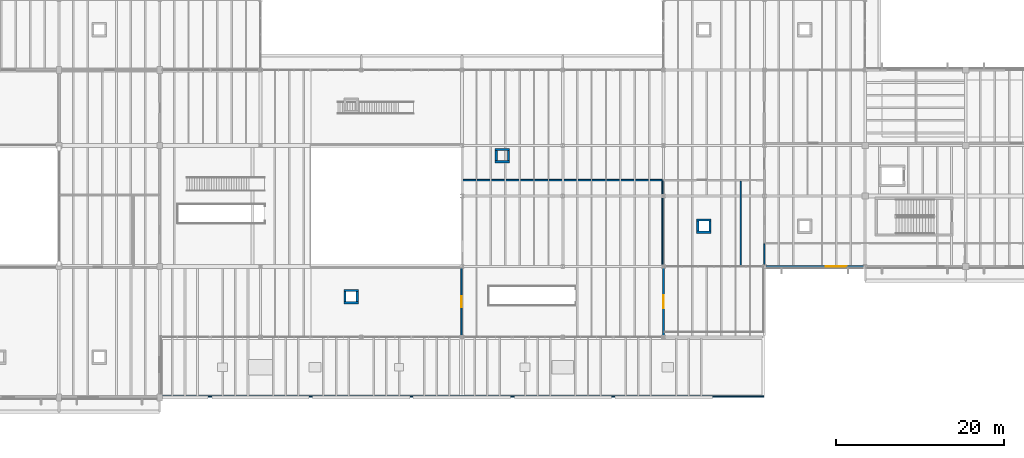
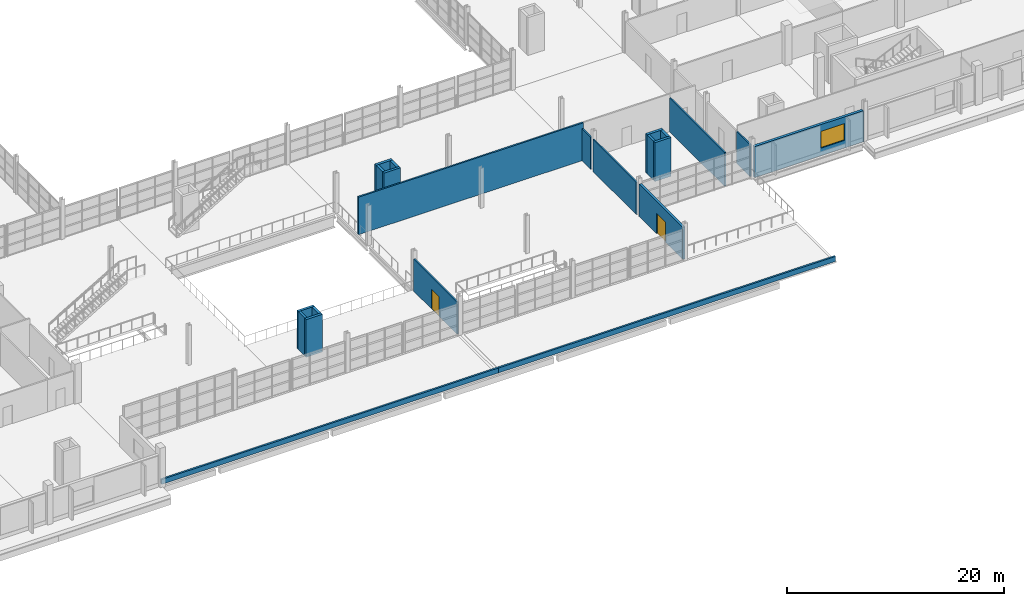
# One storey, part 90 of 114: 22 walls, 2 doors, 1 window, 3 openings.
"""IFC4 building model written with IfcOpenShell, lengths in metres."""

from ifc_helpers import new_model, si_unit, direction, frame, frame_2d, origin, place, context, subcontext, project, spatial, rectangle, extrude, material, layer, layer_set, type_object, element, fill, save


model = new_model("IFC4")

# Units and contexts
model_context = context("Model", 3, precision=1e-05, world=origin(), true_north=direction((0.0, 1.0)))
body_context = subcontext(model_context, "Body", "Model", "MODEL_VIEW")
ifc_project = project(units=[si_unit("LENGTHUNIT", "METRE"), si_unit("AREAUNIT", "SQUARE_METRE"), si_unit("VOLUMEUNIT", "CUBIC_METRE"), si_unit("PLANEANGLEUNIT", "RADIAN"), si_unit("MASSUNIT", "GRAM", prefix="KILO")], contexts=[model_context])

# Site, building, storey
site_placement = place(None, origin())
site = spatial("IfcSite", under=ifc_project, at=site_placement, CompositionType="ELEMENT")
building_placement = place(site_placement, origin())
building = spatial("IfcBuilding", under=site, at=building_placement, Name="Kelmvaro Bay Concert Hall", CompositionType="ELEMENT")
storey_placement = place(building_placement, frame((0.0, 0.0, 4.800048828125)))
storey = spatial("IfcBuildingStorey", under=building, at=storey_placement, Name="L01", CompositionType="ELEMENT", Elevation=4.800048828125)

# Walls
ifc_material_1 = material(Name="Precast Concrete C40/50", Category="concrete")
ifc_layer_1 = layer(ifc_material_1, 0.18994140625)
ifc_layer_set_1 = layer_set([ifc_layer_1], Name="Precast Concrete C40/50")
wall_type_1 = type_object("IfcWallType", Name="Canopy Edge Parapet Upstand 190", PredefinedType="PARAPET", material=ifc_layer_set_1)
for number, where, z_axis, x_axis, name in (
    (1, (48.10009765625, 0.10009765625, 0.06005859375), (0.0, 0.0, 1.0), (1.0, 0.0, 0.0), "L01 Roof Parapet 15"),
    (2, (84.0, 0.10009765625, 0.06005859375), (0.0, 0.0, 1.0), (1.0, 0.0, 0.0), "L01 Roof Parapet 16"),
):
    element("IfcWall", number, at=place(storey_placement, frame(where, z_axis=z_axis, x_axis=x_axis)), inside=storey, type_object=wall_type_1, Name=name, PredefinedType="PARAPET", context=body_context, shape_type="SweptSolid", body=[
        extrude(rectangle(XDim=35.89990234375, YDim=0.18994140625, at=frame_2d((17.949951171875, 0.0))), origin(), (0.0, 0.0, 1.0), 0.559814453125),
    ])

# Wall, opening, door
ifc_material_2 = material(Name="Acoustic Gypsum Board on Galvanised Steel Studs", Category="steel")
ifc_layer_2 = layer(ifc_material_2, 0.169921875)
ifc_layer_set_2 = layer_set([ifc_layer_2], Name="Acoustic Gypsum Board on Galvanised Steel Studs")
wall_type_2 = type_object("IfcWallType", Name="Corridor Fire Compartment Partition 170", PredefinedType="PARTITIONING", material=ifc_layer_set_2)
wall_1_placement = place(storey_placement, frame((83.919921875, 7.40087890625, 0.0), z_axis=(0.0, 0.0, 1.0), x_axis=(0.0, 1.0, 0.0)))
wall_1 = element("IfcWall", 3, at=wall_1_placement, inside=storey, type_object=wall_type_2, Name="L01 Interior Partition PT-L01-0196", PredefinedType="PARTITIONING", context=body_context, shape_type="SweptSolid", body=[
    extrude(rectangle(XDim=7.998046875, YDim=0.169921875, at=frame_2d((3.9990234375, 0.0))), origin(), (0.0, 0.0, 1.0), 3.617919921875),
])
opening_1_placement = place(wall_1_placement, frame((3.319091796875, 0.0, 0.0)))
opening_1 = element("IfcOpeningElement", 4, at=opening_1_placement, cuts=wall_1, Name="Opening ID-DN1", PredefinedType="OPENING", context=body_context, shape_type="SweptSolid", body=[
    extrude(rectangle(XDim=1.360107421875, YDim=2.199951171875, at=frame_2d((0.68017578125, 1.10009765625))), frame((0.0, 0.094970703125, 0.0), z_axis=(0.0, -1.0, 0.0), x_axis=(1.0, 0.0, 0.0)), (0.0, 0.0, 1.0), 0.18994140625),
])
ifc_material_3 = material(Name="Brushed Stainless Steel Core", Category="steel")
door_type_1 = type_object("IfcDoorType", Name="Dining and Kitchen Service Door 1360x2200", OperationType="NOTDEFINED", PredefinedType="DOOR", material=ifc_material_3)
door_1_placement = place(opening_1_placement, origin())
door_1 = element("IfcDoor", 5, at=door_1_placement, inside=storey, type_object=door_type_1, Name="L01 Interior Door DR-INT-L01-0120", OperationType="SINGLE_SWING_RIGHT", OverallHeight=2.199951171875, OverallWidth=1.360107421875, PredefinedType="DOOR", context=body_context, shape_type="SweptSolid", body=[
    extrude(rectangle(XDim=1.360107421875, YDim=2.199951171875, at=frame_2d((0.68017578125, 1.10009765625))), frame((0.0, 0.02490234375, 0.0), z_axis=(0.0, -1.0, 0.0), x_axis=(1.0, 0.0, 0.0)), (0.0, 0.0, 1.0), 0.050048828125),
])
fill(opening_1, door_1)

# Wall
wall_2_placement = place(storey_placement, frame((83.949951171875, 25.8798828125, 0.0), z_axis=(0.0, 0.0, 1.0), x_axis=(1.0, 0.0, 0.0)))
element("IfcWall", 6, at=wall_2_placement, inside=storey, type_object=wall_type_2, Name="L01 Interior Partition PT-L01-0197", PredefinedType="PARTITIONING", context=body_context, shape_type="SweptSolid", body=[
    extrude(rectangle(XDim=24.0, YDim=0.169921875, at=frame_2d((12.0, 0.0))), origin(), (0.0, 0.0, 1.0), 4.22998046875),
])

# Wall, opening, window
ifc_material_4 = material(Name="Precast Concrete C40/50", Category="concrete")
ifc_layer_3 = layer(ifc_material_4, 0.280029296875)
ifc_layer_set_3 = layer_set([ifc_layer_3], Name="Precast Concrete C40/50")
wall_type_3 = type_object("IfcWallType", Name="Percussion Pavilion Precast Wall 280", PredefinedType="SOLIDWALL", material=ifc_layer_set_3)
wall_3_placement = place(storey_placement, frame((131.799560546875, 15.60009765625, 0.0), z_axis=(0.0, 0.0, 1.0), x_axis=(-1.0, 0.0, 0.0)))
wall_3 = element("IfcWall", 7, at=wall_3_placement, inside=storey, type_object=wall_type_3, Name="L01 Exterior Wall EW-L01-0210", PredefinedType="SOLIDWALL", context=body_context, shape_type="SweptSolid", body=[
    extrude(rectangle(XDim=11.59912109375, YDim=0.280029296875, at=frame_2d((5.799560546875, 0.0))), origin(), (0.0, 0.0, 1.0), 3.5068359375),
])
opening_2_placement = place(wall_3_placement, frame((1.997802734375, 0.0, 0.85009765625)))
opening_2 = element("IfcOpeningElement", 8, at=opening_2_placement, cuts=wall_3, Name="Opening WN-22", PredefinedType="OPENING", context=body_context, shape_type="SweptSolid", body=[
    extrude(rectangle(XDim=2.5, YDim=1.89990234375, at=frame_2d((1.25, 0.949951171875))), frame((0.0, 0.14990234375, 0.0), z_axis=(0.0, -1.0, 0.0), x_axis=(1.0, 0.0, 0.0)), (0.0, 0.0, 1.0), 0.300048828125),
])
ifc_material_5 = material(Name="Thermally Broken Aluminium and Acoustic Low-E Glass", Category="aluminium")
window_type = type_object("IfcWindowType", Name="Conductor Suite Bay Window 2500x1900", PartitioningType="SINGLE_PANEL", PredefinedType="WINDOW", material=ifc_material_5)
window_placement = place(opening_2_placement, origin())
window = element("IfcWindow", 9, at=window_placement, inside=storey, type_object=window_type, Name="L01 Facade Window WN-L01-0103", OverallHeight=1.89990234375, OverallWidth=2.5, PartitioningType="SINGLE_PANEL", PredefinedType="WINDOW", context=body_context, shape_type="SweptSolid", body=[
    extrude(rectangle(XDim=2.5, YDim=1.89990234375, at=frame_2d((1.25, 0.949951171875))), frame((0.0, 0.030029296875, 0.0), z_axis=(0.0, -1.0, 0.0), x_axis=(1.0, 0.0, 0.0)), (0.0, 0.0, 1.0), 0.06005859375),
])
fill(opening_2, window)

# Walls
ifc_material_6 = material(Name="Concrete C40/50", Category="concrete")
ifc_layer_4 = layer(ifc_material_6, 0.27001953125)
ifc_layer_set_4 = layer_set([ifc_layer_4], Name="Concrete C40/50")
wall_type_4 = type_object("IfcWallType", Name="Secondary Shaft Shear Wall 270", PredefinedType="SHEAR", material=ifc_layer_set_4)
for number, where, z_axis, x_axis, name in (
    (10, (69.929931640625, 11.264892578125, 0.0), (0.0, 0.0, 1.0), (1.0, 0.0, 0.0), "L01 Service Riser Shaft Wall 085-S"),
    (11, (69.929931640625, 12.735107421875, 0.0), (0.0, 0.0, 1.0), (1.0, 0.0, 0.0), "L01 Service Riser Shaft Wall 086-N"),
):
    element("IfcWall", number, at=place(storey_placement, frame(where, z_axis=z_axis, x_axis=x_axis)), inside=storey, type_object=wall_type_4, Name=name, PredefinedType="SHEAR", context=body_context, shape_type="SweptSolid", body=[
        extrude(rectangle(XDim=1.739990234375, YDim=0.27001953125, at=frame_2d((0.8701171875, 0.0))), origin(), (0.0, 0.0, 1.0), 4.25),
    ])
for number, where, z_axis, x_axis, name in (
    (12, (70.06494140625, 11.39990234375, 0.0), (0.0, 0.0, 1.0), (0.0, 1.0, 0.0), "L01 Service Riser Shaft Wall 087-W"),
    (13, (71.534912109375, 11.39990234375, 0.0), (0.0, 0.0, 1.0), (0.0, 1.0, 0.0), "L01 Service Riser Shaft Wall 088-E"),
):
    element("IfcWall", number, at=place(storey_placement, frame(where, z_axis=z_axis, x_axis=x_axis)), inside=storey, type_object=wall_type_4, Name=name, PredefinedType="SHEAR", context=body_context, shape_type="SweptSolid", body=[
        extrude(rectangle(XDim=1.2001953125, YDim=0.27001953125, at=frame_2d((0.60009765625, 0.0))), origin(), (0.0, 0.0, 1.0), 4.25),
    ])
for number, where, z_axis, x_axis, name in (
    (14, (111.929931640625, 19.6650390625, 0.0), (0.0, 0.0, 1.0), (1.0, 0.0, 0.0), "L01 Service Riser Shaft Wall 093-S"),
    (15, (111.929931640625, 21.135009765625, 0.0), (0.0, 0.0, 1.0), (1.0, 0.0, 0.0), "L01 Service Riser Shaft Wall 094-N"),
):
    element("IfcWall", number, at=place(storey_placement, frame(where, z_axis=z_axis, x_axis=x_axis)), inside=storey, type_object=wall_type_4, Name=name, PredefinedType="SHEAR", context=body_context, shape_type="SweptSolid", body=[
        extrude(rectangle(XDim=1.739990234375, YDim=0.27001953125, at=frame_2d((0.8701171875, 0.0))), origin(), (0.0, 0.0, 1.0), 4.369873046875),
    ])
for number, where, z_axis, x_axis, name in (
    (16, (112.06494140625, 19.800048828125, 0.0), (0.0, 0.0, 1.0), (0.0, 1.0, 0.0), "L01 Service Riser Shaft Wall 095-W"),
    (17, (113.534912109375, 19.800048828125, 0.0), (0.0, 0.0, 1.0), (0.0, 1.0, 0.0), "L01 Service Riser Shaft Wall 096-E"),
):
    element("IfcWall", number, at=place(storey_placement, frame(where, z_axis=z_axis, x_axis=x_axis)), inside=storey, type_object=wall_type_4, Name=name, PredefinedType="SHEAR", context=body_context, shape_type="SweptSolid", body=[
        extrude(rectangle(XDim=1.199951171875, YDim=0.27001953125, at=frame_2d((0.60009765625, 0.0))), origin(), (0.0, 0.0, 1.0), 4.369873046875),
    ])
for number, where, z_axis, x_axis, name in (
    (18, (87.929931640625, 28.06494140625, 0.0), (0.0, 0.0, 1.0), (1.0, 0.0, 0.0), "L01 Service Riser Shaft Wall 117-S"),
    (19, (87.929931640625, 29.534912109375, 0.0), (0.0, 0.0, 1.0), (1.0, 0.0, 0.0), "L01 Service Riser Shaft Wall 118-N"),
):
    element("IfcWall", number, at=place(storey_placement, frame(where, z_axis=z_axis, x_axis=x_axis)), inside=storey, type_object=wall_type_4, Name=name, PredefinedType="SHEAR", context=body_context, shape_type="SweptSolid", body=[
        extrude(rectangle(XDim=1.739990234375, YDim=0.27001953125, at=frame_2d((0.8701171875, 0.0))), origin(), (0.0, 0.0, 1.0), 4.25),
    ])
for number, where, z_axis, x_axis, name in (
    (20, (88.06494140625, 28.199951171875, 0.0), (0.0, 0.0, 1.0), (0.0, 1.0, 0.0), "L01 Service Riser Shaft Wall 119-W"),
    (21, (89.534912109375, 28.199951171875, 0.0), (0.0, 0.0, 1.0), (0.0, 1.0, 0.0), "L01 Service Riser Shaft Wall 120-E"),
):
    element("IfcWall", number, at=place(storey_placement, frame(where, z_axis=z_axis, x_axis=x_axis)), inside=storey, type_object=wall_type_4, Name=name, PredefinedType="SHEAR", context=body_context, shape_type="SweptSolid", body=[
        extrude(rectangle(XDim=1.199951171875, YDim=0.27001953125, at=frame_2d((0.60009765625, 0.0))), origin(), (0.0, 0.0, 1.0), 4.25),
    ])

# Wall, opening, door
ifc_material_7 = material(Name="Precast Concrete C40/50", Category="concrete")
ifc_layer_5 = layer(ifc_material_7, 0.239990234375)
ifc_layer_set_5 = layer_set([ifc_layer_5], Name="Precast Concrete C40/50")
wall_type_5 = type_object("IfcWallType", Name="Terrace Vestibule Exterior Wall 240", PredefinedType="SOLIDWALL", material=ifc_layer_set_5)
wall_4_placement = place(storey_placement, frame((108.0, 15.409423828125, 0.0), z_axis=(0.0, 0.0, 1.0), x_axis=(0.0, -1.0, 0.0)))
wall_4 = element("IfcWall", 22, at=wall_4_placement, inside=storey, type_object=wall_type_5, Name="L01 Exterior Wall EW-L01-0269", PredefinedType="SOLIDWALL", context=body_context, shape_type="SweptSolid", body=[
    extrude(rectangle(XDim=8.01904296875, YDim=0.239990234375, at=frame_2d((4.009521484375, 0.0))), origin(), (0.0, 0.0, 1.0), 3.6279296875),
])
opening_3_placement = place(wall_4_placement, frame((3.20947265625, 0.0, 0.0)))
opening_3 = element("IfcOpeningElement", 23, at=opening_3_placement, cuts=wall_4, Name="Opening ED-160", PredefinedType="OPENING", context=body_context, shape_type="SweptSolid", body=[
    extrude(rectangle(XDim=1.60009765625, YDim=2.300048828125, at=frame_2d((0.800048828125, 1.14990234375))), frame((0.0, 0.1298828125, 0.0), z_axis=(0.0, -1.0, 0.0), x_axis=(1.0, 0.0, 0.0)), (0.0, 0.0, 1.0), 0.260009765625),
])
ifc_material_8 = material(Name="Thermally Broken Aluminium and Laminated Safety Glass", Category="aluminium")
door_type_2 = type_object("IfcDoorType", Name="Terrace Promenade Double Glazed Door 1600x2300", OperationType="NOTDEFINED", PredefinedType="DOOR", material=ifc_material_8)
door_2_placement = place(opening_3_placement, origin())
door_2 = element("IfcDoor", 24, at=door_2_placement, inside=storey, type_object=door_type_2, Name="L01 Exterior Door DR-EXT-L01-028", OperationType="DOUBLE_DOOR_SINGLE_SWING", OverallHeight=2.300048828125, OverallWidth=1.60009765625, PredefinedType="DOOR", context=body_context, shape_type="SweptSolid", body=[
    extrude(rectangle(XDim=1.60009765625, YDim=2.300048828125, at=frame_2d((0.800048828125, 1.14990234375))), frame((0.0, 0.02490234375, 0.0), z_axis=(0.0, -1.0, 0.0), x_axis=(1.0, 0.0, 0.0)), (0.0, 0.0, 1.0), 0.050048828125),
])
fill(opening_3, door_2)

# Walls
ifc_material_9 = material(Name="Acoustic Gypsum Board on Galvanised Steel Studs", Category="steel")
ifc_layer_6 = layer(ifc_material_9, 0.14990234375)
ifc_layer_set_6 = layer_set([ifc_layer_6], Name="Acoustic Gypsum Board on Galvanised Steel Studs")
wall_type_6 = type_object("IfcWallType", Name="Wet Area Moisture-Resistant Partition 150", PredefinedType="PARTITIONING", material=ifc_layer_set_6)
wall_5_placement = place(storey_placement, frame((120.0, 15.8076171875, 0.0), z_axis=(0.0, 0.0, 1.0), x_axis=(0.0, 1.0, 0.0)))
element("IfcWall", 25, at=wall_5_placement, inside=storey, type_object=wall_type_6, Name="L01 Interior Partition PT-L01-0190", PredefinedType="PARTITIONING", context=body_context, shape_type="SweptSolid", body=[
    extrude(rectangle(XDim=2.492431640625, YDim=0.14990234375, at=frame_2d((1.24609375, 0.0))), origin(), (0.0, 0.0, 1.0), 3.587890625),
])
wall_6_placement = place(storey_placement, frame((107.860107421875, 15.798583984375, 0.0), z_axis=(0.0, 0.0, 1.0), x_axis=(0.0, 1.0, 0.0)))
element("IfcWall", 26, at=wall_6_placement, inside=storey, type_object=wall_type_6, Name="L01 Interior Partition PT-L01-0198", PredefinedType="PARTITIONING", context=body_context, shape_type="SweptSolid", body=[
    extrude(rectangle(XDim=8.0029296875, YDim=0.14990234375, at=frame_2d((4.00146484375, 0.0))), origin(), (0.0, 0.0, 1.0), 3.6279296875),
])
wall_7_placement = place(storey_placement, frame((107.860107421875, 24.198486328125, 0.0), z_axis=(0.0, 0.0, 1.0), x_axis=(0.0, 1.0, 0.0)))
element("IfcWall", 27, at=wall_7_placement, inside=storey, type_object=wall_type_6, Name="L01 Interior Partition PT-L01-0199", PredefinedType="PARTITIONING", context=body_context, shape_type="SweptSolid", body=[
    extrude(rectangle(XDim=1.58642578125, YDim=0.14990234375, at=frame_2d((0.793212890625, 0.0))), origin(), (0.0, 0.0, 1.0), 3.617919921875),
])
wall_8_placement = place(storey_placement, frame((117.179931640625, 15.64990234375, 0.0), z_axis=(0.0, 0.0, 1.0), x_axis=(0.0, 1.0, 0.0)))
element("IfcWall", 28, at=wall_8_placement, inside=storey, type_object=wall_type_6, Name="L01 Interior Partition PT-L01-0202", PredefinedType="PARTITIONING", context=body_context, shape_type="SweptSolid", body=[
    extrude(rectangle(XDim=10.14501953125, YDim=0.14990234375, at=frame_2d((5.072509765625, 0.0))), origin(), (0.0, 0.0, 1.0), 3.81591796875),
])

save(model, "model.ifc")
